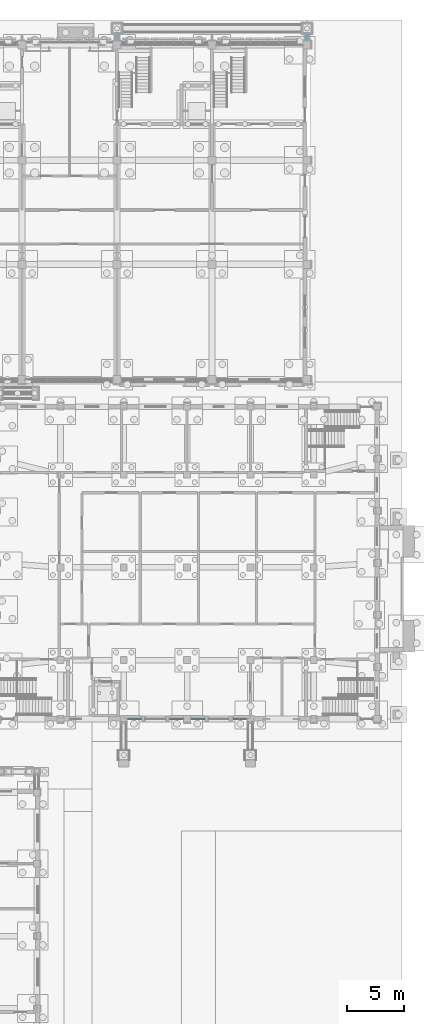
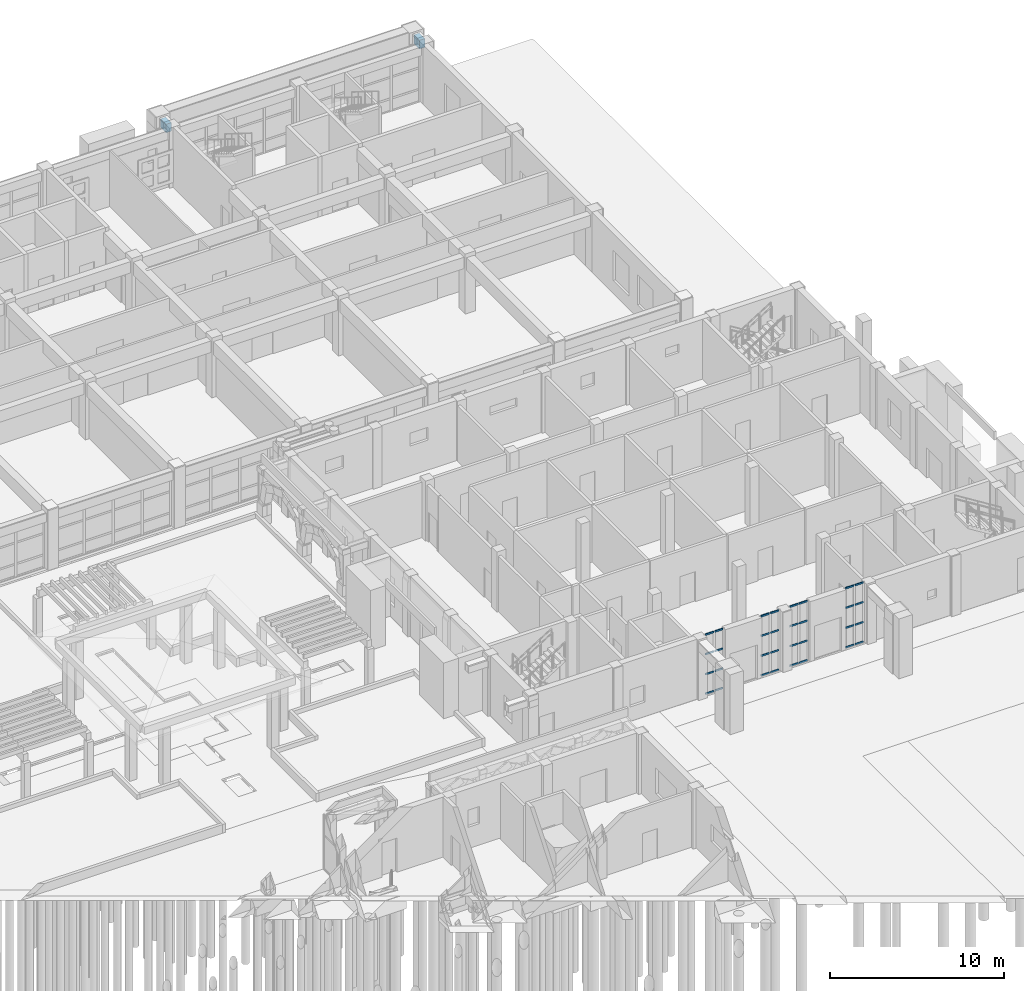
# One storey, part 45 of 112: 32 members, 2 beams, 4 elements without a shape of their own.
"""IFC4 building model written with IfcOpenShell, lengths in metres."""

from ifc_helpers import new_model, si_unit, direction, frame, origin, origin_2d, place, context, subcontext, project, spatial, rectangle, extrude, material, layer, layer_set, material_profile, profile_set, type_object, element, aggregate, save


model = new_model("IFC4")

# Units and contexts
model_context = context("Model", 3, precision=1e-05, world=origin(), true_north=direction((0.0, 1.0)))
body_context = subcontext(model_context, "Body", "Model", "MODEL_VIEW")
ifc_project = project(units=[si_unit("LENGTHUNIT", "METRE"), si_unit("AREAUNIT", "SQUARE_METRE"), si_unit("VOLUMEUNIT", "CUBIC_METRE"), si_unit("PLANEANGLEUNIT", "RADIAN"), si_unit("MASSUNIT", "GRAM", prefix="KILO")], contexts=[model_context])

# Site, building, storey
site_placement = place(None, origin())
site = spatial("IfcSite", under=ifc_project, at=site_placement, CompositionType="ELEMENT")
building_placement = place(site_placement, origin())
building = spatial("IfcBuilding", under=site, at=building_placement, Name="Wasatch Bagh Community Centre", CompositionType="ELEMENT")
storey_placement = place(building_placement, origin())
storey = spatial("IfcBuildingStorey", under=building, at=storey_placement, Name="L00", CompositionType="ELEMENT", Elevation=0.0)

# Beams
ifc_material_1 = material(Name="Concrete C35", Category="concrete")
ifc_material_profile_1 = material_profile(ifc_material_1, rectangle(XDim=0.35009765625, YDim=0.60009765625, at=origin_2d()), Name="RC 350x600")
ifc_profile_set_1 = profile_set([ifc_material_profile_1], Name="Concrete C35")
beam_type = type_object("IfcBeamType", Name="CL-B4", PredefinedType="BEAM", material=ifc_profile_set_1)
for number, where, z_axis, x_axis, name in (
    (1, (122.800048828125, 98.14990234375, 3.699951171875), (0.0, 1.0, 0.0), (-1.0, 0.0, 0.0), "CL-B4 tie LWP05.1"),
    (2, (139.60009765625, 98.14990234375, 3.699951171875), (0.0, 1.0, 0.0), (-1.0, 0.0, 0.0), "CL-B4 tie LWP06.1"),
):
    element("IfcBeam", number, at=place(storey_placement, frame(where, z_axis=z_axis, x_axis=x_axis)), inside=storey, type_object=beam_type, Name=name, PredefinedType="BEAM", context=body_context, shape_type="SweptSolid", body=[
        extrude(rectangle(XDim=0.35009765625, YDim=0.60009765625, at=origin_2d()), origin(), (0.0, 0.0, 1.0), 0.650146484375),
    ])

# Curtain wall, members
ifc_material_2 = material(Name="Aluminium alloy 6063-T6", Category="aluminium")
ifc_layer = layer(ifc_material_2, 0.10009765625)
ifc_layer_set = layer_set([ifc_layer], Name="Aluminium alloy 6063-T6")
curtain_wall_type = type_object("IfcCurtainWallType", Name="SH-CW1", PredefinedType="NOTDEFINED", material=ifc_layer_set)
curtain_wall_1_placement = place(storey_placement, origin())
curtain_wall_1 = element("IfcCurtainWall", 3, at=curtain_wall_1_placement, inside=storey, type_object=curtain_wall_type, Name="Curtain wall SH-CW1", PredefinedType="NOTDEFINED")
ifc_material_profile_2 = material_profile(ifc_material_2, rectangle(XDim=0.06005859375, YDim=0.1201171875, at=origin_2d()), Name="AL 60x120")
ifc_profile_set_2 = profile_set([ifc_material_profile_2], Name="Aluminium alloy 6063-T6")
member_type = type_object("IfcMemberType", Name="SH-CW1 transom", PredefinedType="USERDEFINED", material=ifc_profile_set_2)
member_1_placement = place(storey_placement, frame((123.760009765625, 38.199951171875, 0.030029296875), z_axis=(1.0, 0.0, 0.0), x_axis=(0.0, 1.0, 0.0)))
member_1 = element("IfcMember", 4, at=member_1_placement, type_object=member_type, Name="SH-CW1 transom 1.1", ObjectType="TRANSOM", PredefinedType="USERDEFINED", context=body_context, shape_type="SweptSolid", body=[
    extrude(rectangle(XDim=0.06005859375, YDim=0.1201171875, at=origin_2d()), origin(), (0.0, 0.0, 1.0), 0.56005859375),
])
member_2_placement = place(storey_placement, frame((123.760009765625, 38.199951171875, 1.39990234375), z_axis=(1.0, 0.0, 0.0), x_axis=(0.0, 1.0, 0.0)))
member_2 = element("IfcMember", 5, at=member_2_placement, type_object=member_type, Name="SH-CW1 transom 1.2", ObjectType="TRANSOM", PredefinedType="USERDEFINED", context=body_context, shape_type="SweptSolid", body=[
    extrude(rectangle(XDim=0.06005859375, YDim=0.1201171875, at=origin_2d()), origin(), (0.0, 0.0, 1.0), 0.56005859375),
])
member_3_placement = place(storey_placement, frame((123.760009765625, 38.199951171875, 2.800048828125), z_axis=(1.0, 0.0, 0.0), x_axis=(0.0, 1.0, 0.0)))
member_3 = element("IfcMember", 6, at=member_3_placement, type_object=member_type, Name="SH-CW1 transom 1.3", ObjectType="TRANSOM", PredefinedType="USERDEFINED", context=body_context, shape_type="SweptSolid", body=[
    extrude(rectangle(XDim=0.06005859375, YDim=0.1201171875, at=origin_2d()), origin(), (0.0, 0.0, 1.0), 0.56005859375),
])
member_4_placement = place(storey_placement, frame((123.760009765625, 38.199951171875, 4.169921875), z_axis=(1.0, 0.0, 0.0), x_axis=(0.0, 1.0, 0.0)))
member_4 = element("IfcMember", 7, at=member_4_placement, type_object=member_type, Name="SH-CW1 transom 1.4", ObjectType="TRANSOM", PredefinedType="USERDEFINED", context=body_context, shape_type="SweptSolid", body=[
    extrude(rectangle(XDim=0.06005859375, YDim=0.1201171875, at=origin_2d()), origin(), (0.0, 0.0, 1.0), 0.56005859375),
])
member_5_placement = place(storey_placement, frame((124.3798828125, 38.199951171875, 0.030029296875), z_axis=(1.0, 0.0, 0.0), x_axis=(0.0, 1.0, 0.0)))
member_5 = element("IfcMember", 8, at=member_5_placement, type_object=member_type, Name="SH-CW1 transom 2.1", ObjectType="TRANSOM", PredefinedType="USERDEFINED", context=body_context, shape_type="SweptSolid", body=[
    extrude(rectangle(XDim=0.06005859375, YDim=0.1201171875, at=origin_2d()), origin(), (0.0, 0.0, 1.0), 0.56005859375),
])
member_6_placement = place(storey_placement, frame((124.3798828125, 38.199951171875, 1.39990234375), z_axis=(1.0, 0.0, 0.0), x_axis=(0.0, 1.0, 0.0)))
member_6 = element("IfcMember", 9, at=member_6_placement, type_object=member_type, Name="SH-CW1 transom 2.2", ObjectType="TRANSOM", PredefinedType="USERDEFINED", context=body_context, shape_type="SweptSolid", body=[
    extrude(rectangle(XDim=0.06005859375, YDim=0.1201171875, at=origin_2d()), origin(), (0.0, 0.0, 1.0), 0.56005859375),
])
member_7_placement = place(storey_placement, frame((124.3798828125, 38.199951171875, 2.800048828125), z_axis=(1.0, 0.0, 0.0), x_axis=(0.0, 1.0, 0.0)))
member_7 = element("IfcMember", 10, at=member_7_placement, type_object=member_type, Name="SH-CW1 transom 2.3", ObjectType="TRANSOM", PredefinedType="USERDEFINED", context=body_context, shape_type="SweptSolid", body=[
    extrude(rectangle(XDim=0.06005859375, YDim=0.1201171875, at=origin_2d()), origin(), (0.0, 0.0, 1.0), 0.56005859375),
])
member_8_placement = place(storey_placement, frame((124.3798828125, 38.199951171875, 4.169921875), z_axis=(1.0, 0.0, 0.0), x_axis=(0.0, 1.0, 0.0)))
member_8 = element("IfcMember", 11, at=member_8_placement, type_object=member_type, Name="SH-CW1 transom 2.4", ObjectType="TRANSOM", PredefinedType="USERDEFINED", context=body_context, shape_type="SweptSolid", body=[
    extrude(rectangle(XDim=0.06005859375, YDim=0.1201171875, at=origin_2d()), origin(), (0.0, 0.0, 1.0), 0.56005859375),
])
aggregate(curtain_wall_1, [member_1, member_2, member_3, member_4, member_5, member_6, member_7, member_8])

curtain_wall_2_placement = place(storey_placement, origin())
curtain_wall_2 = element("IfcCurtainWall", 12, at=curtain_wall_2_placement, inside=storey, type_object=curtain_wall_type, Name="Curtain wall SH-CW1", PredefinedType="NOTDEFINED")
member_9_placement = place(storey_placement, frame((127.4599609375, 38.199951171875, 0.030029296875), z_axis=(1.0, 0.0, 0.0), x_axis=(0.0, 1.0, 0.0)))
member_9 = element("IfcMember", 13, at=member_9_placement, type_object=member_type, Name="SH-CW1 transom 1.1", ObjectType="TRANSOM", PredefinedType="USERDEFINED", context=body_context, shape_type="SweptSolid", body=[
    extrude(rectangle(XDim=0.06005859375, YDim=0.1201171875, at=origin_2d()), origin(), (0.0, 0.0, 1.0), 0.56005859375),
])
member_10_placement = place(storey_placement, frame((127.4599609375, 38.199951171875, 1.39990234375), z_axis=(1.0, 0.0, 0.0), x_axis=(0.0, 1.0, 0.0)))
member_10 = element("IfcMember", 14, at=member_10_placement, type_object=member_type, Name="SH-CW1 transom 1.2", ObjectType="TRANSOM", PredefinedType="USERDEFINED", context=body_context, shape_type="SweptSolid", body=[
    extrude(rectangle(XDim=0.06005859375, YDim=0.1201171875, at=origin_2d()), origin(), (0.0, 0.0, 1.0), 0.56005859375),
])
member_11_placement = place(storey_placement, frame((127.4599609375, 38.199951171875, 2.800048828125), z_axis=(1.0, 0.0, 0.0), x_axis=(0.0, 1.0, 0.0)))
member_11 = element("IfcMember", 15, at=member_11_placement, type_object=member_type, Name="SH-CW1 transom 1.3", ObjectType="TRANSOM", PredefinedType="USERDEFINED", context=body_context, shape_type="SweptSolid", body=[
    extrude(rectangle(XDim=0.06005859375, YDim=0.1201171875, at=origin_2d()), origin(), (0.0, 0.0, 1.0), 0.56005859375),
])
member_12_placement = place(storey_placement, frame((127.4599609375, 38.199951171875, 4.169921875), z_axis=(1.0, 0.0, 0.0), x_axis=(0.0, 1.0, 0.0)))
member_12 = element("IfcMember", 16, at=member_12_placement, type_object=member_type, Name="SH-CW1 transom 1.4", ObjectType="TRANSOM", PredefinedType="USERDEFINED", context=body_context, shape_type="SweptSolid", body=[
    extrude(rectangle(XDim=0.06005859375, YDim=0.1201171875, at=origin_2d()), origin(), (0.0, 0.0, 1.0), 0.56005859375),
])
member_13_placement = place(storey_placement, frame((128.080078125, 38.199951171875, 0.030029296875), z_axis=(1.0, 0.0, 0.0), x_axis=(0.0, 1.0, 0.0)))
member_13 = element("IfcMember", 17, at=member_13_placement, type_object=member_type, Name="SH-CW1 transom 2.1", ObjectType="TRANSOM", PredefinedType="USERDEFINED", context=body_context, shape_type="SweptSolid", body=[
    extrude(rectangle(XDim=0.06005859375, YDim=0.1201171875, at=origin_2d()), origin(), (0.0, 0.0, 1.0), 0.559814453125),
])
member_14_placement = place(storey_placement, frame((128.080078125, 38.199951171875, 1.39990234375), z_axis=(1.0, 0.0, 0.0), x_axis=(0.0, 1.0, 0.0)))
member_14 = element("IfcMember", 18, at=member_14_placement, type_object=member_type, Name="SH-CW1 transom 2.2", ObjectType="TRANSOM", PredefinedType="USERDEFINED", context=body_context, shape_type="SweptSolid", body=[
    extrude(rectangle(XDim=0.06005859375, YDim=0.1201171875, at=origin_2d()), origin(), (0.0, 0.0, 1.0), 0.559814453125),
])
member_15_placement = place(storey_placement, frame((128.080078125, 38.199951171875, 2.800048828125), z_axis=(1.0, 0.0, 0.0), x_axis=(0.0, 1.0, 0.0)))
member_15 = element("IfcMember", 19, at=member_15_placement, type_object=member_type, Name="SH-CW1 transom 2.3", ObjectType="TRANSOM", PredefinedType="USERDEFINED", context=body_context, shape_type="SweptSolid", body=[
    extrude(rectangle(XDim=0.06005859375, YDim=0.1201171875, at=origin_2d()), origin(), (0.0, 0.0, 1.0), 0.559814453125),
])
member_16_placement = place(storey_placement, frame((128.080078125, 38.199951171875, 4.169921875), z_axis=(1.0, 0.0, 0.0), x_axis=(0.0, 1.0, 0.0)))
member_16 = element("IfcMember", 20, at=member_16_placement, type_object=member_type, Name="SH-CW1 transom 2.4", ObjectType="TRANSOM", PredefinedType="USERDEFINED", context=body_context, shape_type="SweptSolid", body=[
    extrude(rectangle(XDim=0.06005859375, YDim=0.1201171875, at=origin_2d()), origin(), (0.0, 0.0, 1.0), 0.559814453125),
])
aggregate(curtain_wall_2, [member_9, member_10, member_11, member_12, member_13, member_14, member_15, member_16])

curtain_wall_3_placement = place(storey_placement, origin())
curtain_wall_3 = element("IfcCurtainWall", 21, at=curtain_wall_3_placement, inside=storey, type_object=curtain_wall_type, Name="Curtain wall SH-CW1", PredefinedType="NOTDEFINED")
member_17_placement = place(storey_placement, frame((129.360107421875, 38.199951171875, 0.030029296875), z_axis=(1.0, 0.0, 0.0), x_axis=(0.0, 1.0, 0.0)))
member_17 = element("IfcMember", 22, at=member_17_placement, type_object=member_type, Name="SH-CW1 transom 1.1", ObjectType="TRANSOM", PredefinedType="USERDEFINED", context=body_context, shape_type="SweptSolid", body=[
    extrude(rectangle(XDim=0.06005859375, YDim=0.1201171875, at=origin_2d()), origin(), (0.0, 0.0, 1.0), 0.559814453125),
])
member_18_placement = place(storey_placement, frame((129.360107421875, 38.199951171875, 1.39990234375), z_axis=(1.0, 0.0, 0.0), x_axis=(0.0, 1.0, 0.0)))
member_18 = element("IfcMember", 23, at=member_18_placement, type_object=member_type, Name="SH-CW1 transom 1.2", ObjectType="TRANSOM", PredefinedType="USERDEFINED", context=body_context, shape_type="SweptSolid", body=[
    extrude(rectangle(XDim=0.06005859375, YDim=0.1201171875, at=origin_2d()), origin(), (0.0, 0.0, 1.0), 0.559814453125),
])
member_19_placement = place(storey_placement, frame((129.360107421875, 38.199951171875, 2.800048828125), z_axis=(1.0, 0.0, 0.0), x_axis=(0.0, 1.0, 0.0)))
member_19 = element("IfcMember", 24, at=member_19_placement, type_object=member_type, Name="SH-CW1 transom 1.3", ObjectType="TRANSOM", PredefinedType="USERDEFINED", context=body_context, shape_type="SweptSolid", body=[
    extrude(rectangle(XDim=0.06005859375, YDim=0.1201171875, at=origin_2d()), origin(), (0.0, 0.0, 1.0), 0.559814453125),
])
member_20_placement = place(storey_placement, frame((129.360107421875, 38.199951171875, 4.169921875), z_axis=(1.0, 0.0, 0.0), x_axis=(0.0, 1.0, 0.0)))
member_20 = element("IfcMember", 25, at=member_20_placement, type_object=member_type, Name="SH-CW1 transom 1.4", ObjectType="TRANSOM", PredefinedType="USERDEFINED", context=body_context, shape_type="SweptSolid", body=[
    extrude(rectangle(XDim=0.06005859375, YDim=0.1201171875, at=origin_2d()), origin(), (0.0, 0.0, 1.0), 0.559814453125),
])
member_21_placement = place(storey_placement, frame((129.97998046875, 38.199951171875, 0.030029296875), z_axis=(1.0, 0.0, 0.0), x_axis=(0.0, 1.0, 0.0)))
member_21 = element("IfcMember", 26, at=member_21_placement, type_object=member_type, Name="SH-CW1 transom 2.1", ObjectType="TRANSOM", PredefinedType="USERDEFINED", context=body_context, shape_type="SweptSolid", body=[
    extrude(rectangle(XDim=0.06005859375, YDim=0.1201171875, at=origin_2d()), origin(), (0.0, 0.0, 1.0), 0.56005859375),
])
member_22_placement = place(storey_placement, frame((129.97998046875, 38.199951171875, 1.39990234375), z_axis=(1.0, 0.0, 0.0), x_axis=(0.0, 1.0, 0.0)))
member_22 = element("IfcMember", 27, at=member_22_placement, type_object=member_type, Name="SH-CW1 transom 2.2", ObjectType="TRANSOM", PredefinedType="USERDEFINED", context=body_context, shape_type="SweptSolid", body=[
    extrude(rectangle(XDim=0.06005859375, YDim=0.1201171875, at=origin_2d()), origin(), (0.0, 0.0, 1.0), 0.56005859375),
])
member_23_placement = place(storey_placement, frame((129.97998046875, 38.199951171875, 2.800048828125), z_axis=(1.0, 0.0, 0.0), x_axis=(0.0, 1.0, 0.0)))
member_23 = element("IfcMember", 28, at=member_23_placement, type_object=member_type, Name="SH-CW1 transom 2.3", ObjectType="TRANSOM", PredefinedType="USERDEFINED", context=body_context, shape_type="SweptSolid", body=[
    extrude(rectangle(XDim=0.06005859375, YDim=0.1201171875, at=origin_2d()), origin(), (0.0, 0.0, 1.0), 0.56005859375),
])
member_24_placement = place(storey_placement, frame((129.97998046875, 38.199951171875, 4.169921875), z_axis=(1.0, 0.0, 0.0), x_axis=(0.0, 1.0, 0.0)))
member_24 = element("IfcMember", 29, at=member_24_placement, type_object=member_type, Name="SH-CW1 transom 2.4", ObjectType="TRANSOM", PredefinedType="USERDEFINED", context=body_context, shape_type="SweptSolid", body=[
    extrude(rectangle(XDim=0.06005859375, YDim=0.1201171875, at=origin_2d()), origin(), (0.0, 0.0, 1.0), 0.56005859375),
])
aggregate(curtain_wall_3, [member_17, member_18, member_19, member_20, member_21, member_22, member_23, member_24])

curtain_wall_4_placement = place(storey_placement, origin())
curtain_wall_4 = element("IfcCurtainWall", 30, at=curtain_wall_4_placement, inside=storey, type_object=curtain_wall_type, Name="Curtain wall SH-CW1", PredefinedType="NOTDEFINED")
member_25_placement = place(storey_placement, frame((133.06005859375, 38.199951171875, 0.030029296875), z_axis=(1.0, 0.0, 0.0), x_axis=(0.0, 1.0, 0.0)))
member_25 = element("IfcMember", 31, at=member_25_placement, type_object=member_type, Name="SH-CW1 transom 1.1", ObjectType="TRANSOM", PredefinedType="USERDEFINED", context=body_context, shape_type="SweptSolid", body=[
    extrude(rectangle(XDim=0.06005859375, YDim=0.1201171875, at=origin_2d()), origin(), (0.0, 0.0, 1.0), 0.56005859375),
])
member_26_placement = place(storey_placement, frame((133.06005859375, 38.199951171875, 1.39990234375), z_axis=(1.0, 0.0, 0.0), x_axis=(0.0, 1.0, 0.0)))
member_26 = element("IfcMember", 32, at=member_26_placement, type_object=member_type, Name="SH-CW1 transom 1.2", ObjectType="TRANSOM", PredefinedType="USERDEFINED", context=body_context, shape_type="SweptSolid", body=[
    extrude(rectangle(XDim=0.06005859375, YDim=0.1201171875, at=origin_2d()), origin(), (0.0, 0.0, 1.0), 0.56005859375),
])
member_27_placement = place(storey_placement, frame((133.06005859375, 38.199951171875, 2.800048828125), z_axis=(1.0, 0.0, 0.0), x_axis=(0.0, 1.0, 0.0)))
member_27 = element("IfcMember", 33, at=member_27_placement, type_object=member_type, Name="SH-CW1 transom 1.3", ObjectType="TRANSOM", PredefinedType="USERDEFINED", context=body_context, shape_type="SweptSolid", body=[
    extrude(rectangle(XDim=0.06005859375, YDim=0.1201171875, at=origin_2d()), origin(), (0.0, 0.0, 1.0), 0.56005859375),
])
member_28_placement = place(storey_placement, frame((133.06005859375, 38.199951171875, 4.169921875), z_axis=(1.0, 0.0, 0.0), x_axis=(0.0, 1.0, 0.0)))
member_28 = element("IfcMember", 34, at=member_28_placement, type_object=member_type, Name="SH-CW1 transom 1.4", ObjectType="TRANSOM", PredefinedType="USERDEFINED", context=body_context, shape_type="SweptSolid", body=[
    extrude(rectangle(XDim=0.06005859375, YDim=0.1201171875, at=origin_2d()), origin(), (0.0, 0.0, 1.0), 0.56005859375),
])
member_29_placement = place(storey_placement, frame((133.679931640625, 38.199951171875, 0.030029296875), z_axis=(1.0, 0.0, 0.0), x_axis=(0.0, 1.0, 0.0)))
member_29 = element("IfcMember", 35, at=member_29_placement, type_object=member_type, Name="SH-CW1 transom 2.1", ObjectType="TRANSOM", PredefinedType="USERDEFINED", context=body_context, shape_type="SweptSolid", body=[
    extrude(rectangle(XDim=0.06005859375, YDim=0.1201171875, at=origin_2d()), origin(), (0.0, 0.0, 1.0), 0.56005859375),
])
member_30_placement = place(storey_placement, frame((133.679931640625, 38.199951171875, 1.39990234375), z_axis=(1.0, 0.0, 0.0), x_axis=(0.0, 1.0, 0.0)))
member_30 = element("IfcMember", 36, at=member_30_placement, type_object=member_type, Name="SH-CW1 transom 2.2", ObjectType="TRANSOM", PredefinedType="USERDEFINED", context=body_context, shape_type="SweptSolid", body=[
    extrude(rectangle(XDim=0.06005859375, YDim=0.1201171875, at=origin_2d()), origin(), (0.0, 0.0, 1.0), 0.56005859375),
])
member_31_placement = place(storey_placement, frame((133.679931640625, 38.199951171875, 2.800048828125), z_axis=(1.0, 0.0, 0.0), x_axis=(0.0, 1.0, 0.0)))
member_31 = element("IfcMember", 37, at=member_31_placement, type_object=member_type, Name="SH-CW1 transom 2.3", ObjectType="TRANSOM", PredefinedType="USERDEFINED", context=body_context, shape_type="SweptSolid", body=[
    extrude(rectangle(XDim=0.06005859375, YDim=0.1201171875, at=origin_2d()), origin(), (0.0, 0.0, 1.0), 0.56005859375),
])
member_32_placement = place(storey_placement, frame((133.679931640625, 38.199951171875, 4.169921875), z_axis=(1.0, 0.0, 0.0), x_axis=(0.0, 1.0, 0.0)))
member_32 = element("IfcMember", 38, at=member_32_placement, type_object=member_type, Name="SH-CW1 transom 2.4", ObjectType="TRANSOM", PredefinedType="USERDEFINED", context=body_context, shape_type="SweptSolid", body=[
    extrude(rectangle(XDim=0.06005859375, YDim=0.1201171875, at=origin_2d()), origin(), (0.0, 0.0, 1.0), 0.56005859375),
])
aggregate(curtain_wall_4, [member_25, member_26, member_27, member_28, member_29, member_30, member_31, member_32])

save(model, "model.ifc")
